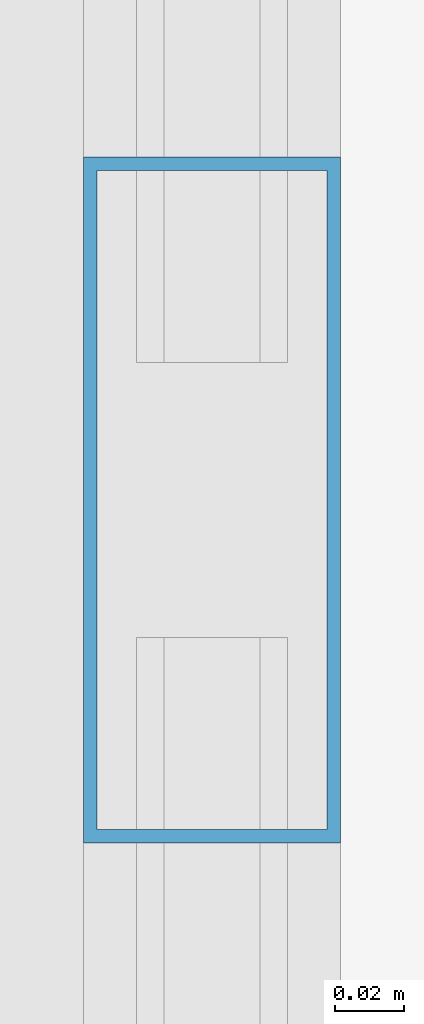
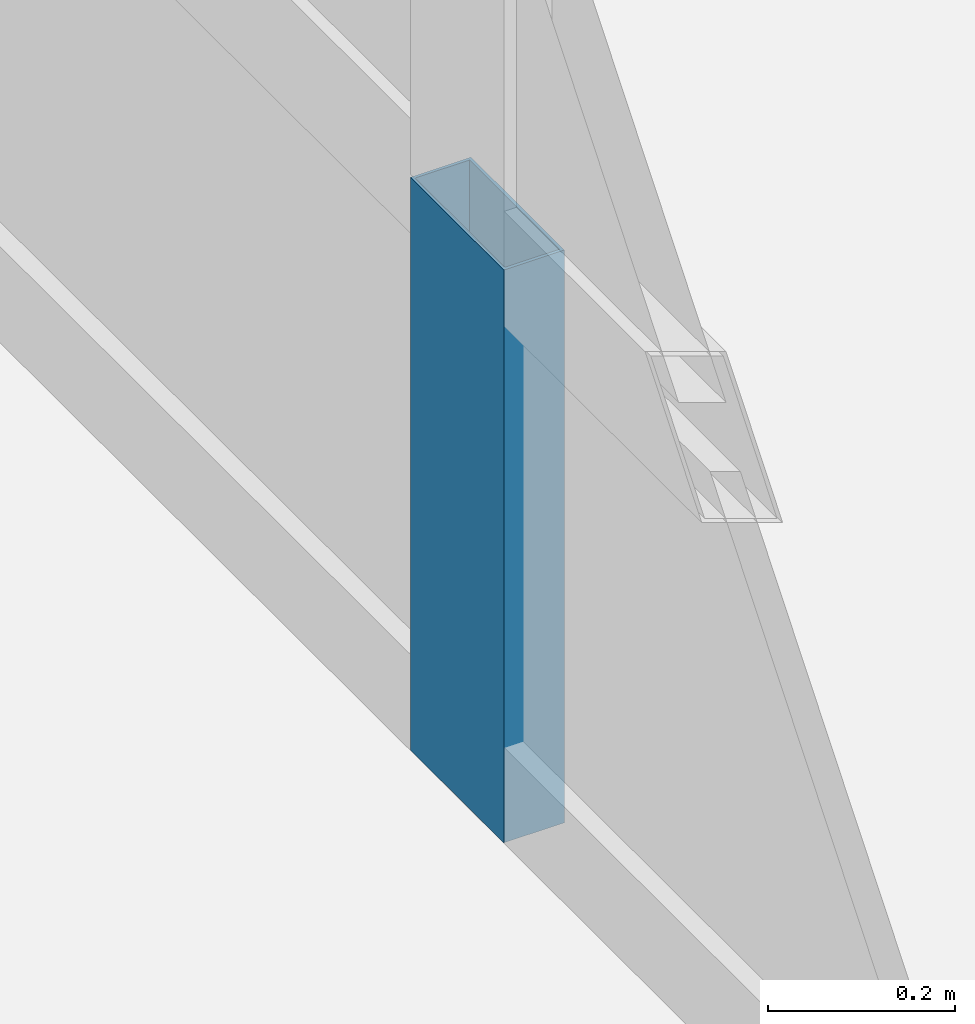
# One storey, part 21 of 35: 1 member, 1 element without a shape of its own.
"""IFC4 building model written with IfcOpenShell, lengths in metres."""

import ifcopenshell
import ifcopenshell.guid

model = None  # the IFC model being written
_history = None  # IfcOwnerHistory: only IFC2X3 demands one
_inside = {}  # id of a spatial element -> (the spatial element, [elements in it])
_under = {}  # id of a project, library or spatial element -> (it, [spatial elements below it])
_declared = {}  # id of a project -> (the project, [libraries it declares])
_typed = {}  # id of a type object -> (the type object, [elements of that type])
_made_of = {}  # id of a material, layer set ... -> (it, [elements and type objects made of it])


def new_model(schema):
    """Start an empty IFC model of exactly this schema.

    Asked for "IFC4X3", IfcOpenShell would pick the latest addendum, in which some entities
    have other attributes; the version numbers below select the first issue.
    IFC2X3 requires an IfcOwnerHistory on every rooted entity: one is made here for all.
    """
    global model, _history
    if schema == "IFC4X3":
        model = ifcopenshell.file(schema_version=(4, 3, 0, 0))
    else:
        model = ifcopenshell.file(schema=schema)
    _inside.clear()
    _under.clear()
    _declared.clear()
    _typed.clear()
    _made_of.clear()
    _history = None
    if model.schema == "IFC2X3":
        org = make("IfcOrganization", Name="unknown")
        user = make(
            "IfcPersonAndOrganization",
            ThePerson=make("IfcPerson", FamilyName="unknown"),
            TheOrganization=org,
        )
        app = make(
            "IfcApplication",
            ApplicationDeveloper=org,
            Version="unknown",
            ApplicationFullName="unknown",
            ApplicationIdentifier="unknown",
        )
        _history = make(
            "IfcOwnerHistory",
            OwningUser=user,
            OwningApplication=app,
            ChangeAction="ADDED",
            CreationDate=0,
        )
    return model


def make(cls, **values):
    """One entity of the class cls with the attributes given. An attribute that is None is left unset."""
    return model.create_entity(
        cls, **{name: value for name, value in values.items() if value is not None}
    )


def rooted(cls, **values):
    """An entity with a GlobalId (a new one), such as an element, a storey or a relation."""
    return make(cls, GlobalId=ifcopenshell.guid.new(), OwnerHistory=_history, **values)


def si_unit(unit_type, name, prefix=None):
    """IfcSIUnit, for example si_unit("LENGTHUNIT", "METRE", prefix="MILLI")."""
    return make("IfcSIUnit", UnitType=unit_type, Prefix=prefix, Name=name)


def assignment(units):
    """IfcUnitAssignment: the units of a project."""
    return None if units is None else make("IfcUnitAssignment", Units=units)


def point(xyz):
    """IfcCartesianPoint."""
    return None if xyz is None else make("IfcCartesianPoint", Coordinates=xyz)


def direction(xyz):
    """IfcDirection."""
    return None if xyz is None else make("IfcDirection", DirectionRatios=xyz)


def frame(location, z_axis=None, x_axis=None):
    """IfcAxis2Placement3D, a coordinate frame: its origin and axes. An axis left out is left unset."""
    return make(
        "IfcAxis2Placement3D",
        Location=point(location),
        Axis=direction(z_axis),
        RefDirection=direction(x_axis),
    )


def frame_2d(location, x_axis=None):
    """IfcAxis2Placement2D, a coordinate frame in the plane: its origin and x axis."""
    return make(
        "IfcAxis2Placement2D", Location=point(location), RefDirection=direction(x_axis)
    )


def origin():
    """The frame at (0, 0, 0) with its axes left unset."""
    return frame((0.0, 0.0, 0.0))


def origin_2d():
    """The frame at (0, 0) in the plane with its x axis left unset."""
    return frame_2d((0.0, 0.0))


def place(relative_to, where):
    """IfcLocalPlacement: puts the frame where relative to a parent placement (None: the world)."""
    return make(
        "IfcLocalPlacement", PlacementRelTo=relative_to, RelativePlacement=where
    )


def context(
    kind, dimensions, precision=None, world=None, true_north=None, identifier=None
):
    """IfcGeometricRepresentationContext, for example the 3D "Model" context."""
    return make(
        "IfcGeometricRepresentationContext",
        ContextIdentifier=identifier,
        ContextType=kind,
        CoordinateSpaceDimension=dimensions,
        Precision=precision,
        WorldCoordinateSystem=world,
        TrueNorth=true_north,
    )


def subcontext(parent, identifier, kind, view, scale=None):
    """IfcGeometricRepresentationSubContext, for example "Body" below "Model"."""
    return make(
        "IfcGeometricRepresentationSubContext",
        ContextIdentifier=identifier,
        ContextType=kind,
        ParentContext=parent,
        TargetScale=scale,
        TargetView=view,
    )


def project(units=None, contexts=None):
    """IfcProject with its units and contexts."""
    return rooted(
        "IfcProject",
        Name="project",
        RepresentationContexts=contexts,
        UnitsInContext=assignment(units),
    )


def spatial(cls, under=None, at=None, **own):
    """A site, building, storey or space (cls), placed at a placement, below another one or the project."""
    s = rooted(cls, ObjectPlacement=at, **own)
    if under is not None:
        _under.setdefault(under.id(), (under, []))[1].append(s)
    return s


def profile(cls, at=None, kind="AREA", **sizes):
    """A parametric profile (cls). Its sizes go by their IFC names, for example OverallWidth=200.0."""
    return make(cls, ProfileType=kind, Position=at, **sizes)


def hollow_rectangle(**sizes):
    """IfcRectangleHollowProfileDef."""
    return profile("IfcRectangleHollowProfileDef", **sizes)


def extrude(swept, where, along, depth):
    """IfcExtrudedAreaSolid: the profile swept, set in the frame where, extruded along a direction by depth."""
    return make(
        "IfcExtrudedAreaSolid",
        SweptArea=swept,
        Position=where,
        ExtrudedDirection=direction(along),
        Depth=depth,
    )


def shape(context_of_items, identifier, shape_type, items):
    """IfcShapeRepresentation: the items that make up one representation, for example the "Body"."""
    return make(
        "IfcShapeRepresentation",
        ContextOfItems=context_of_items,
        RepresentationIdentifier=identifier,
        RepresentationType=shape_type,
        Items=items,
    )


def source(mapping_origin, context_of_items, identifier, shape_type, items):
    """IfcRepresentationMap: a shape defined once, which mapped items show again and again."""
    return make(
        "IfcRepresentationMap",
        MappingOrigin=mapping_origin,
        MappedRepresentation=shape(context_of_items, identifier, shape_type, items),
    )


def transform(
    local_origin,
    x_axis=None,
    y_axis=None,
    z_axis=None,
    scale=None,
    scale2=None,
    scale3=None,
    uniform=True,
):
    """IfcCartesianTransformationOperator3D, or its non-uniform kind. x_axis, y_axis, z_axis: its Axis1, 2, 3."""
    if uniform:
        return make(
            "IfcCartesianTransformationOperator3D",
            Axis1=direction(x_axis),
            Axis2=direction(y_axis),
            LocalOrigin=point(local_origin),
            Scale=scale,
            Axis3=direction(z_axis),
        )
    return make(
        "IfcCartesianTransformationOperator3DnonUniform",
        Axis1=direction(x_axis),
        Axis2=direction(y_axis),
        LocalOrigin=point(local_origin),
        Scale=scale,
        Axis3=direction(z_axis),
        Scale2=scale2,
        Scale3=scale3,
    )


def mapped(mapping_source, mapping_target):
    """IfcMappedItem: shows the shape of a source again, moved by a transform."""
    return make(
        "IfcMappedItem", MappingSource=mapping_source, MappingTarget=mapping_target
    )


def material(Name=None, Category=None):
    """IfcMaterial."""
    return make("IfcMaterial", Name=Name, Category=Category)


def layer(
    of_material, thickness, ventilated=None, Name=None, Category=None, Priority=None
):
    """IfcMaterialLayer: one layer of a wall or slab, of a material (None: an air gap)."""
    return make(
        "IfcMaterialLayer",
        Material=of_material,
        LayerThickness=thickness,
        IsVentilated=ventilated,
        Name=Name,
        Category=Category,
        Priority=Priority,
    )


def layer_set(layers, Name=None):
    """IfcMaterialLayerSet."""
    return make("IfcMaterialLayerSet", MaterialLayers=layers, LayerSetName=Name)


def material_profile(
    of_material, cross_section, Name=None, Category=None, Priority=None
):
    """IfcMaterialProfile: a cross section and its material."""
    return make(
        "IfcMaterialProfile",
        Name=Name,
        Material=of_material,
        Profile=cross_section,
        Priority=Priority,
        Category=Category,
    )


def profile_set(profiles, Name=None, composite=None):
    """IfcMaterialProfileSet."""
    return make(
        "IfcMaterialProfileSet",
        Name=Name,
        MaterialProfiles=profiles,
        CompositeProfile=composite,
    )


def made_of(thing, what):
    """Note that an element or type object is made of a material, layer set ...; save() writes the relation."""
    if what is not None:
        _made_of.setdefault(what.id(), (what, []))[1].append(thing)
    return thing


def type_object(cls, material=None, **own):
    """A type object (cls), such as IfcWallType, which elements share."""
    return made_of(rooted(cls, **own), material)


def element(
    cls,
    number,
    at=None,
    inside=None,
    cuts=None,
    type_object=None,
    material=None,
    context=None,
    identifier="Body",
    shape_type=None,
    held_by="IfcProductDefinitionShape",
    body=None,
    shapes=None,
    **own,
):
    """One element of the class cls, such as IfcWall. Its Tag is "e" and its number.

    at: its placement. inside: the storey or other place that contains it. cuts: it is an
    opening in that element (IfcRelVoidsElement). A single representation is given by context,
    identifier, shape_type and body (its items); several are given by shapes. held_by: the class
    of the entity that holds the representations. save() writes the other relations.
    """
    e = rooted(cls, Tag="e%d" % number, ObjectPlacement=at, **own)
    if body is not None:
        shapes = [shape(context, identifier, shape_type, body)]
    if shapes is not None:
        e.Representation = make(held_by, Representations=shapes)
    if inside is not None:
        _inside.setdefault(inside.id(), (inside, []))[1].append(e)
    if cuts is not None:
        rooted(
            "IfcRelVoidsElement", RelatingBuildingElement=cuts, RelatedOpeningElement=e
        )
    if type_object is not None:
        _typed.setdefault(type_object.id(), (type_object, []))[1].append(e)
    return made_of(e, material)


def aggregate(whole, parts):
    """IfcRelAggregates: a whole, such as a stair, and the parts it consists of."""
    return rooted("IfcRelAggregates", RelatingObject=whole, RelatedObjects=parts)


def save(model, path):
    """Write the relations noted so far, then the file.

    IfcRelAggregates (storeys below a building ...), IfcRelContainedInSpatialStructure (elements
    in a storey), IfcRelDefinesByType, IfcRelAssociatesMaterial and IfcRelDeclares: one each for
    every whole, place, type object, material and project.
    """
    for whole, parts in _under.values():
        aggregate(whole, parts)
    for where, things in _inside.values():
        rooted(
            "IfcRelContainedInSpatialStructure",
            RelatedElements=things,
            RelatingStructure=where,
        )
    for kind, things in _typed.values():
        rooted("IfcRelDefinesByType", RelatedObjects=things, RelatingType=kind)
    for what, things in _made_of.values():
        rooted("IfcRelAssociatesMaterial", RelatedObjects=things, RelatingMaterial=what)
    for by, libraries in _declared.values():
        rooted("IfcRelDeclares", RelatingContext=by, RelatedDefinitions=libraries)
    model.write(path)


model = new_model("IFC4")

# Units and contexts
model_context = context("Model", 3, precision=1e-05, world=origin(), true_north=direction((0.0, 1.0)))
body_context = subcontext(model_context, "Body", "Model", "MODEL_VIEW")
ifc_project = project(units=[si_unit("LENGTHUNIT", "METRE"), si_unit("AREAUNIT", "SQUARE_METRE"), si_unit("VOLUMEUNIT", "CUBIC_METRE"), si_unit("PLANEANGLEUNIT", "RADIAN"), si_unit("MASSUNIT", "GRAM", prefix="KILO"), si_unit("THERMODYNAMICTEMPERATUREUNIT", "KELVIN"), si_unit("POWERUNIT", "WATT")], contexts=[model_context])

# Site, building, storey
site_placement = place(None, origin())
site = spatial("IfcSite", under=ifc_project, at=site_placement, CompositionType="ELEMENT")
building_placement = place(site_placement, origin())
building = spatial("IfcBuilding", under=site, at=building_placement, Name="Yuzanri Waterfront Tower", CompositionType="ELEMENT")
storey_placement = place(building_placement, frame((0.0, 0.0, 335.699951171875)))
storey = spatial("IfcBuildingStorey", under=building, at=storey_placement, Name="L90", CompositionType="ELEMENT", Elevation=335.699951171875)

# Curtain wall, member
ifc_material_1 = material(Name="Anodized Architectural Bronze", Category="metal")
ifc_layer = layer(ifc_material_1, 0.159912109375)
ifc_layer_set = layer_set([ifc_layer], Name="Anodized Architectural Bronze")
curtain_wall_type = type_object("IfcCurtainWallType", Name="Anodized Bronze High-Rise Penthouse High-Wind Unitized Curtain Wall 6900", PredefinedType="NOTDEFINED", material=ifc_layer_set)
curtain_wall_placement = place(storey_placement, origin())
curtain_wall = element("IfcCurtainWall", 1, at=curtain_wall_placement, inside=storey, type_object=curtain_wall_type, Name="L90 Curtain Wall CW-L90-WL", PredefinedType="NOTDEFINED")
ifc_material_2 = material(Name="Anodized Architectural Bronze", Category="metal")
ifc_material_profile = material_profile(ifc_material_2, hollow_rectangle(XDim=0.074951171875, YDim=0.199951171875, WallThickness=0.00390625, at=origin_2d()), Name="CWM 75x200")
ifc_profile_set = profile_set([ifc_material_profile], Name="Anodized Architectural Bronze")
member_type = type_object("IfcMemberType", Name="Anodized Bronze Primary Curtain-Wall Mullion 75x200", PredefinedType="MULLION", material=ifc_profile_set)
shared_shape = source(origin(), body_context, "Body", "SweptSolid", [
    extrude(hollow_rectangle(XDim=0.074951171875, YDim=0.199951171875, WallThickness=0.00390625, at=origin_2d()), origin(), (0.0, 0.0, 1.0), 0.748046875),
])
member_placement = place(storey_placement, frame((18.050048828125, 19.75, 0.0), z_axis=(0.0, 0.0, 1.0), x_axis=(1.0, 0.0, 0.0)))
member = element("IfcMember", 2, at=member_placement, type_object=member_type, Name="CW-L90-WL Lower Mullion 01", PredefinedType="MULLION", context=body_context, shape_type="MappedRepresentation", body=[
    mapped(shared_shape, transform((0.0, 0.0, 0.0), scale=1.0)),
])
aggregate(curtain_wall, [member])

save(model, "model.ifc")
